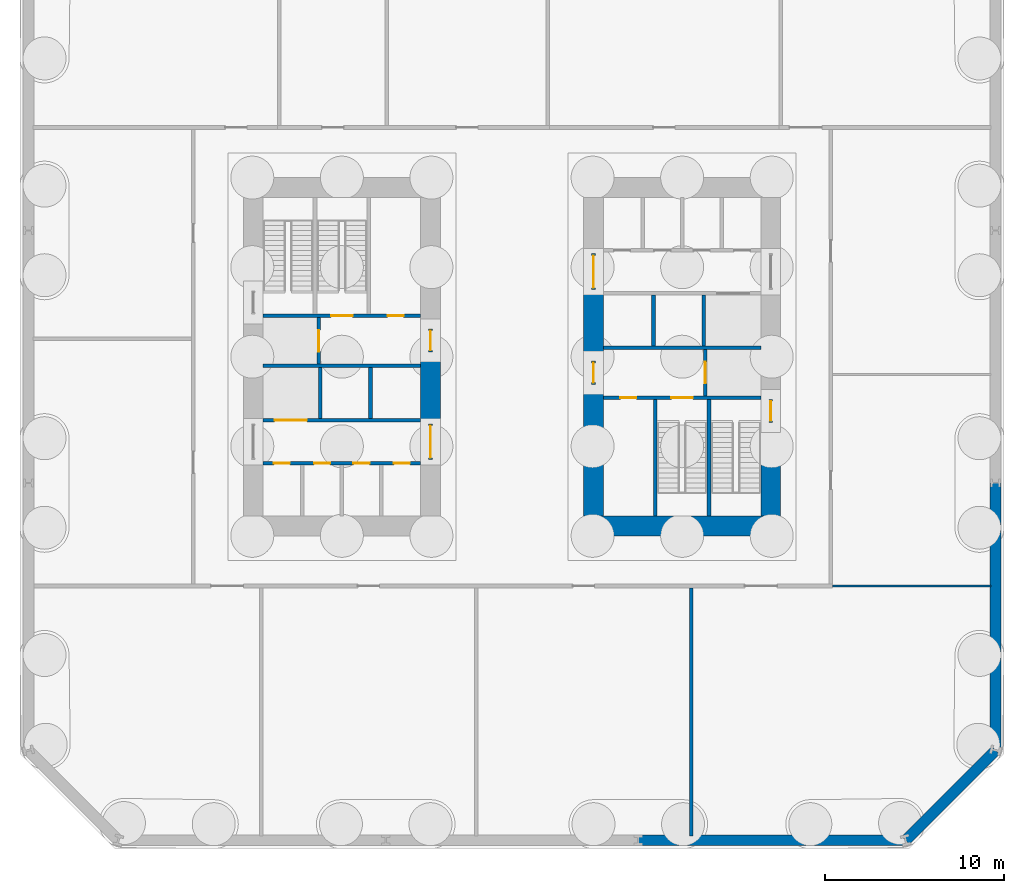
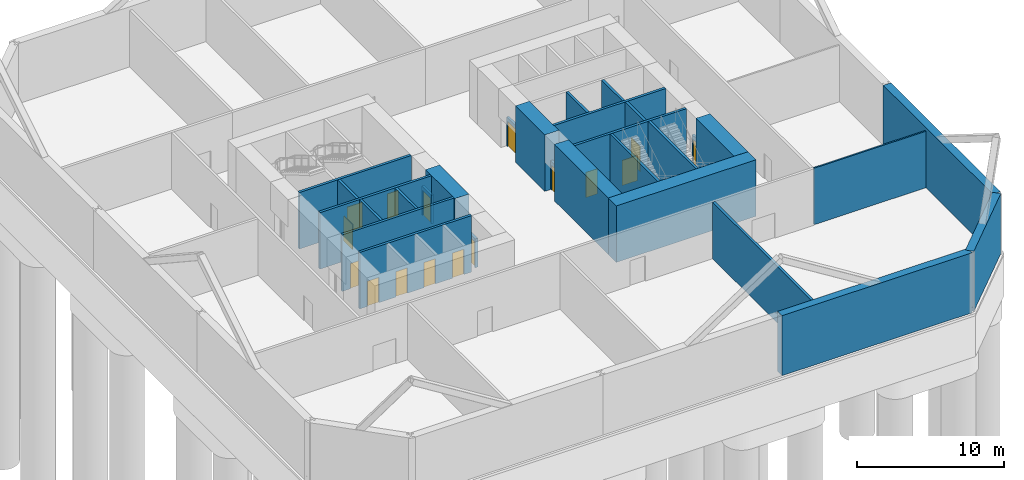
# One storey, part 4 of 7: 29 walls, 16 doors, 16 openings.
"""IFC4 building model written with IfcOpenShell, lengths in metres."""

import ifcopenshell
import ifcopenshell.guid

model = None  # the IFC model being written
_history = None  # IfcOwnerHistory: only IFC2X3 demands one
_inside = {}  # id of a spatial element -> (the spatial element, [elements in it])
_under = {}  # id of a project, library or spatial element -> (it, [spatial elements below it])
_declared = {}  # id of a project -> (the project, [libraries it declares])
_typed = {}  # id of a type object -> (the type object, [elements of that type])
_made_of = {}  # id of a material, layer set ... -> (it, [elements and type objects made of it])


def new_model(schema):
    """Start an empty IFC model of exactly this schema.

    Asked for "IFC4X3", IfcOpenShell would pick the latest addendum, in which some entities
    have other attributes; the version numbers below select the first issue.
    IFC2X3 requires an IfcOwnerHistory on every rooted entity: one is made here for all.
    """
    global model, _history
    if schema == "IFC4X3":
        model = ifcopenshell.file(schema_version=(4, 3, 0, 0))
    else:
        model = ifcopenshell.file(schema=schema)
    _inside.clear()
    _under.clear()
    _declared.clear()
    _typed.clear()
    _made_of.clear()
    _history = None
    if model.schema == "IFC2X3":
        org = make("IfcOrganization", Name="unknown")
        user = make(
            "IfcPersonAndOrganization",
            ThePerson=make("IfcPerson", FamilyName="unknown"),
            TheOrganization=org,
        )
        app = make(
            "IfcApplication",
            ApplicationDeveloper=org,
            Version="unknown",
            ApplicationFullName="unknown",
            ApplicationIdentifier="unknown",
        )
        _history = make(
            "IfcOwnerHistory",
            OwningUser=user,
            OwningApplication=app,
            ChangeAction="ADDED",
            CreationDate=0,
        )
    return model


def make(cls, **values):
    """One entity of the class cls with the attributes given. An attribute that is None is left unset."""
    return model.create_entity(
        cls, **{name: value for name, value in values.items() if value is not None}
    )


def rooted(cls, **values):
    """An entity with a GlobalId (a new one), such as an element, a storey or a relation."""
    return make(cls, GlobalId=ifcopenshell.guid.new(), OwnerHistory=_history, **values)


def si_unit(unit_type, name, prefix=None):
    """IfcSIUnit, for example si_unit("LENGTHUNIT", "METRE", prefix="MILLI")."""
    return make("IfcSIUnit", UnitType=unit_type, Prefix=prefix, Name=name)


def assignment(units):
    """IfcUnitAssignment: the units of a project."""
    return None if units is None else make("IfcUnitAssignment", Units=units)


def point(xyz):
    """IfcCartesianPoint."""
    return None if xyz is None else make("IfcCartesianPoint", Coordinates=xyz)


def direction(xyz):
    """IfcDirection."""
    return None if xyz is None else make("IfcDirection", DirectionRatios=xyz)


def frame(location, z_axis=None, x_axis=None):
    """IfcAxis2Placement3D, a coordinate frame: its origin and axes. An axis left out is left unset."""
    return make(
        "IfcAxis2Placement3D",
        Location=point(location),
        Axis=direction(z_axis),
        RefDirection=direction(x_axis),
    )


def frame_2d(location, x_axis=None):
    """IfcAxis2Placement2D, a coordinate frame in the plane: its origin and x axis."""
    return make(
        "IfcAxis2Placement2D", Location=point(location), RefDirection=direction(x_axis)
    )


def origin():
    """The frame at (0, 0, 0) with its axes left unset."""
    return frame((0.0, 0.0, 0.0))


def place(relative_to, where):
    """IfcLocalPlacement: puts the frame where relative to a parent placement (None: the world)."""
    return make(
        "IfcLocalPlacement", PlacementRelTo=relative_to, RelativePlacement=where
    )


def context(
    kind, dimensions, precision=None, world=None, true_north=None, identifier=None
):
    """IfcGeometricRepresentationContext, for example the 3D "Model" context."""
    return make(
        "IfcGeometricRepresentationContext",
        ContextIdentifier=identifier,
        ContextType=kind,
        CoordinateSpaceDimension=dimensions,
        Precision=precision,
        WorldCoordinateSystem=world,
        TrueNorth=true_north,
    )


def subcontext(parent, identifier, kind, view, scale=None):
    """IfcGeometricRepresentationSubContext, for example "Body" below "Model"."""
    return make(
        "IfcGeometricRepresentationSubContext",
        ContextIdentifier=identifier,
        ContextType=kind,
        ParentContext=parent,
        TargetScale=scale,
        TargetView=view,
    )


def project(units=None, contexts=None):
    """IfcProject with its units and contexts."""
    return rooted(
        "IfcProject",
        Name="project",
        RepresentationContexts=contexts,
        UnitsInContext=assignment(units),
    )


def spatial(cls, under=None, at=None, **own):
    """A site, building, storey or space (cls), placed at a placement, below another one or the project."""
    s = rooted(cls, ObjectPlacement=at, **own)
    if under is not None:
        _under.setdefault(under.id(), (under, []))[1].append(s)
    return s


def profile(cls, at=None, kind="AREA", **sizes):
    """A parametric profile (cls). Its sizes go by their IFC names, for example OverallWidth=200.0."""
    return make(cls, ProfileType=kind, Position=at, **sizes)


def rectangle(**sizes):
    """IfcRectangleProfileDef."""
    return profile("IfcRectangleProfileDef", **sizes)


def extrude(swept, where, along, depth):
    """IfcExtrudedAreaSolid: the profile swept, set in the frame where, extruded along a direction by depth."""
    return make(
        "IfcExtrudedAreaSolid",
        SweptArea=swept,
        Position=where,
        ExtrudedDirection=direction(along),
        Depth=depth,
    )


def shape(context_of_items, identifier, shape_type, items):
    """IfcShapeRepresentation: the items that make up one representation, for example the "Body"."""
    return make(
        "IfcShapeRepresentation",
        ContextOfItems=context_of_items,
        RepresentationIdentifier=identifier,
        RepresentationType=shape_type,
        Items=items,
    )


def material(Name=None, Category=None):
    """IfcMaterial."""
    return make("IfcMaterial", Name=Name, Category=Category)


def layer(
    of_material, thickness, ventilated=None, Name=None, Category=None, Priority=None
):
    """IfcMaterialLayer: one layer of a wall or slab, of a material (None: an air gap)."""
    return make(
        "IfcMaterialLayer",
        Material=of_material,
        LayerThickness=thickness,
        IsVentilated=ventilated,
        Name=Name,
        Category=Category,
        Priority=Priority,
    )


def layer_set(layers, Name=None):
    """IfcMaterialLayerSet."""
    return make("IfcMaterialLayerSet", MaterialLayers=layers, LayerSetName=Name)


def made_of(thing, what):
    """Note that an element or type object is made of a material, layer set ...; save() writes the relation."""
    if what is not None:
        _made_of.setdefault(what.id(), (what, []))[1].append(thing)
    return thing


def type_object(cls, material=None, **own):
    """A type object (cls), such as IfcWallType, which elements share."""
    return made_of(rooted(cls, **own), material)


def element(
    cls,
    number,
    at=None,
    inside=None,
    cuts=None,
    type_object=None,
    material=None,
    context=None,
    identifier="Body",
    shape_type=None,
    held_by="IfcProductDefinitionShape",
    body=None,
    shapes=None,
    **own,
):
    """One element of the class cls, such as IfcWall. Its Tag is "e" and its number.

    at: its placement. inside: the storey or other place that contains it. cuts: it is an
    opening in that element (IfcRelVoidsElement). A single representation is given by context,
    identifier, shape_type and body (its items); several are given by shapes. held_by: the class
    of the entity that holds the representations. save() writes the other relations.
    """
    e = rooted(cls, Tag="e%d" % number, ObjectPlacement=at, **own)
    if body is not None:
        shapes = [shape(context, identifier, shape_type, body)]
    if shapes is not None:
        e.Representation = make(held_by, Representations=shapes)
    if inside is not None:
        _inside.setdefault(inside.id(), (inside, []))[1].append(e)
    if cuts is not None:
        rooted(
            "IfcRelVoidsElement", RelatingBuildingElement=cuts, RelatedOpeningElement=e
        )
    if type_object is not None:
        _typed.setdefault(type_object.id(), (type_object, []))[1].append(e)
    return made_of(e, material)


def fill(opening, filler):
    """IfcRelFillsElement: the door or window that sits in an opening."""
    return rooted(
        "IfcRelFillsElement",
        RelatingOpeningElement=opening,
        RelatedBuildingElement=filler,
    )


def aggregate(whole, parts):
    """IfcRelAggregates: a whole, such as a stair, and the parts it consists of."""
    return rooted("IfcRelAggregates", RelatingObject=whole, RelatedObjects=parts)


def save(model, path):
    """Write the relations noted so far, then the file.

    IfcRelAggregates (storeys below a building ...), IfcRelContainedInSpatialStructure (elements
    in a storey), IfcRelDefinesByType, IfcRelAssociatesMaterial and IfcRelDeclares: one each for
    every whole, place, type object, material and project.
    """
    for whole, parts in _under.values():
        aggregate(whole, parts)
    for where, things in _inside.values():
        rooted(
            "IfcRelContainedInSpatialStructure",
            RelatedElements=things,
            RelatingStructure=where,
        )
    for kind, things in _typed.values():
        rooted("IfcRelDefinesByType", RelatedObjects=things, RelatingType=kind)
    for what, things in _made_of.values():
        rooted("IfcRelAssociatesMaterial", RelatedObjects=things, RelatingMaterial=what)
    for by, libraries in _declared.values():
        rooted("IfcRelDeclares", RelatingContext=by, RelatedDefinitions=libraries)
    model.write(path)


model = new_model("IFC4")

# Units and contexts
model_context = context("Model", 3, precision=1e-05, world=origin(), true_north=direction((0.0, 1.0)))
body_context = subcontext(model_context, "Body", "Model", "MODEL_VIEW")
ifc_project = project(units=[si_unit("LENGTHUNIT", "METRE"), si_unit("AREAUNIT", "SQUARE_METRE"), si_unit("VOLUMEUNIT", "CUBIC_METRE"), si_unit("PLANEANGLEUNIT", "RADIAN"), si_unit("MASSUNIT", "GRAM", prefix="KILO")], contexts=[model_context])

# Site, building, storey
site_placement = place(None, origin())
site = spatial("IfcSite", under=ifc_project, at=site_placement, CompositionType="ELEMENT")
building_placement = place(site_placement, origin())
building = spatial("IfcBuilding", under=site, at=building_placement, Name="Millrace Tower", CompositionType="ELEMENT")
storey_placement = place(building_placement, frame((0.0, 0.0, -10.0)))
storey = spatial("IfcBuildingStorey", under=building, at=storey_placement, Name="B2", CompositionType="ELEMENT", Elevation=-10.0)

# Walls
ifc_material_1 = material(Name="Concrete C40", Category="concrete")
ifc_layer_1 = layer(ifc_material_1, 0.60009765625)
ifc_layer_set_1 = layer_set([ifc_layer_1], Name="Concrete C40")
wall_type_1 = type_object("IfcWallType", Name="Basement retaining wall 600 mm", PredefinedType="SOLIDWALL", material=ifc_layer_set_1)
wall_1_placement = place(storey_placement, frame((7.050048828125, -27.0, 0.0), z_axis=(0.0, 0.0, 1.0), x_axis=(1.0, 0.0, 0.0)))
element("IfcWall", 1, at=wall_1_placement, inside=storey, type_object=wall_type_1, Name="BW-A-B2-04", PredefinedType="SOLIDWALL", context=body_context, shape_type="SweptSolid", body=[
    extrude(rectangle(XDim=14.928466796875, YDim=0.60009765625, at=frame_2d((7.46435546875, 0.0))), origin(), (0.0, 0.0, 1.0), 5.0),
])
wall_2_placement = place(storey_placement, frame((21.978515625, -27.0, 0.0), z_axis=(0.0, 0.0, 1.0), x_axis=(0.707106781187, 0.707106781187, 0.0)))
element("IfcWall", 2, at=wall_2_placement, inside=storey, type_object=wall_type_1, Name="BW-A-B2-05", PredefinedType="SOLIDWALL", context=body_context, shape_type="SweptSolid", body=[
    extrude(rectangle(XDim=7.1015625, YDim=0.60009765625, at=frame_2d((3.55078125, 0.0))), origin(), (0.0, 0.0, 1.0), 5.0),
])
wall_3_placement = place(storey_placement, frame((27.0, -21.978515625, 0.0), z_axis=(0.0, 0.0, 1.0), x_axis=(0.0, 1.0, 0.0)))
element("IfcWall", 3, at=wall_3_placement, inside=storey, type_object=wall_type_1, Name="BW-A-B2-06", PredefinedType="SOLIDWALL", context=body_context, shape_type="SweptSolid", body=[
    extrude(rectangle(XDim=14.928466796875, YDim=0.60009765625, at=frame_2d((7.46435546875, 0.0))), origin(), (0.0, 0.0, 1.0), 5.0),
])
ifc_material_2 = material(Name="Concrete C80", Category="concrete")
ifc_layer_2 = layer(ifc_material_2, 1.10009765625)
ifc_layer_set_2 = layer_set([ifc_layer_2], Name="Concrete C80")
wall_type_2 = type_object("IfcWallType", Name="Core wall 1100 Concrete C80", PredefinedType="SHEAR", material=ifc_layer_set_2)
wall_4_placement = place(storey_placement, frame((-4.550048828125, -3.75, 0.0), z_axis=(0.0, 0.0, 1.0), x_axis=(0.0, 1.0, 0.0)))
element("IfcWall", 4, at=wall_4_placement, inside=storey, type_object=wall_type_2, Name="Core wall W B2", PredefinedType="SHEAR", context=body_context, shape_type="SweptSolid", body=[
    extrude(rectangle(XDim=4.0, YDim=1.10009765625, at=frame_2d((2.0, 0.0))), origin(), (0.0, 0.0, 1.0), 4.699951171875),
])
wall_5_placement = place(storey_placement, frame((15.0, -9.449951171875, 0.0), z_axis=(0.0, 0.0, 1.0), x_axis=(-1.0, 0.0, 0.0)))
element("IfcWall", 5, at=wall_5_placement, inside=storey, type_object=wall_type_2, Name="Core wall E B2", PredefinedType="SHEAR", context=body_context, shape_type="SweptSolid", body=[
    extrude(rectangle(XDim=11.0, YDim=1.10009765625, at=frame_2d((5.5, 0.0))), origin(), (0.0, 0.0, 1.0), 4.699951171875),
])
wall_6_placement = place(storey_placement, frame((14.449951171875, -3.679931640625, 0.0), z_axis=(0.0, 0.0, 1.0), x_axis=(0.0, -1.0, 0.0)))
element("IfcWall", 6, at=wall_6_placement, inside=storey, type_object=wall_type_2, Name="Core wall E B2", PredefinedType="SHEAR", context=body_context, shape_type="SweptSolid", body=[
    extrude(rectangle(XDim=5.219970703125, YDim=1.10009765625, at=frame_2d((2.60986328125, 0.0))), origin(), (0.0, 0.0, 1.0), 4.699951171875),
])
wall_7_placement = place(storey_placement, frame((4.550048828125, 3.75, 0.0), z_axis=(0.0, 0.0, 1.0), x_axis=(0.0, -1.0, 0.0)))
element("IfcWall", 7, at=wall_7_placement, inside=storey, type_object=wall_type_2, Name="Core wall E B2", PredefinedType="SHEAR", context=body_context, shape_type="SweptSolid", body=[
    extrude(rectangle(XDim=4.0, YDim=1.10009765625, at=frame_2d((2.0, 0.0))), origin(), (0.0, 0.0, 1.0), 4.699951171875),
])
wall_8_placement = place(storey_placement, frame((4.550048828125, -1.550048828125, 0.0), z_axis=(0.0, 0.0, 1.0), x_axis=(0.0, -1.0, 0.0)))
element("IfcWall", 8, at=wall_8_placement, inside=storey, type_object=wall_type_2, Name="Core wall E B2", PredefinedType="SHEAR", context=body_context, shape_type="SweptSolid", body=[
    extrude(rectangle(XDim=7.349853515625, YDim=1.10009765625, at=frame_2d((3.6748046875, 0.0))), origin(), (0.0, 0.0, 1.0), 4.699951171875),
])
ifc_material_3 = material(Name="Masonry partition, fire-rated", Category="masonry")
ifc_layer_3 = layer(ifc_material_3, 0.199951171875)
ifc_layer_set_3 = layer_set([ifc_layer_3], Name="Masonry partition, fire-rated")
wall_type_3 = type_object("IfcWallType", Name="Corridor wall 200", PredefinedType="PARTITIONING", material=ifc_layer_set_3)
wall_9_placement = place(storey_placement, frame((10.0, -26.75, 0.0), z_axis=(0.0, 0.0, 1.0), x_axis=(0.0, 1.0, 0.0)))
element("IfcWall", 9, at=wall_9_placement, inside=storey, type_object=wall_type_3, Name="Corridor wall B2", PredefinedType="PARTITIONING", context=body_context, shape_type="SweptSolid", body=[
    extrude(rectangle(XDim=13.85009765625, YDim=0.199951171875, at=frame_2d((6.925048828125, 0.0))), origin(), (0.0, 0.0, 1.0), 4.699951171875),
])

# Wall, openings, doors
ifc_material_4 = material(Name="Masonry partition, fire-rated", Category="masonry")
ifc_layer_4 = layer(ifc_material_4, 0.199951171875)
ifc_layer_set_4 = layer_set([ifc_layer_4], Name="Masonry partition, fire-rated")
wall_type_4 = type_object("IfcWallType", Name="Lift shaft wall 200", PredefinedType="PARTITIONING", material=ifc_layer_set_4)
wall_10_placement = place(storey_placement, frame((-13.89990234375, -5.949951171875, 0.0), z_axis=(0.0, 0.0, 1.0), x_axis=(1.0, 0.0, 0.0)))
wall_10 = element("IfcWall", 10, at=wall_10_placement, inside=storey, type_object=wall_type_4, Name="Lift shaft wall W B2", PredefinedType="PARTITIONING", context=body_context, shape_type="SweptSolid", body=[
    extrude(rectangle(XDim=8.7998046875, YDim=0.199951171875, at=frame_2d((4.39990234375, 0.0))), origin(), (0.0, 0.0, 1.0), 4.699951171875),
])
opening_1_placement = place(wall_10_placement, frame((0.60009765625, 0.0, 0.0)))
opening_1 = element("IfcOpeningElement", 11, at=opening_1_placement, cuts=wall_10, Name="Opening B2-C005", PredefinedType="OPENING", context=body_context, shape_type="SweptSolid", body=[
    extrude(rectangle(XDim=0.89990234375, YDim=2.10009765625, at=frame_2d((0.449951171875, 1.050048828125))), frame((0.0, 0.10986328125, 0.0), z_axis=(0.0, -1.0, 0.0), x_axis=(1.0, 0.0, 0.0)), (0.0, 0.0, 1.0), 0.219970703125),
])
opening_2_placement = place(wall_10_placement, frame((2.85009765625, 0.0, 0.0)))
opening_2 = element("IfcOpeningElement", 12, at=opening_2_placement, cuts=wall_10, Name="Opening B2-C006", PredefinedType="OPENING", context=body_context, shape_type="SweptSolid", body=[
    extrude(rectangle(XDim=0.89990234375, YDim=2.10009765625, at=frame_2d((0.449951171875, 1.050048828125))), frame((0.0, 0.10986328125, 0.0), z_axis=(0.0, -1.0, 0.0), x_axis=(1.0, 0.0, 0.0)), (0.0, 0.0, 1.0), 0.219970703125),
])
opening_3_placement = place(wall_10_placement, frame((5.050048828125, 0.0, 0.0)))
opening_3 = element("IfcOpeningElement", 13, at=opening_3_placement, cuts=wall_10, Name="Opening B2-C007", PredefinedType="OPENING", context=body_context, shape_type="SweptSolid", body=[
    extrude(rectangle(XDim=0.89990234375, YDim=2.10009765625, at=frame_2d((0.449951171875, 1.050048828125))), frame((0.0, 0.10986328125, 0.0), z_axis=(0.0, -1.0, 0.0), x_axis=(1.0, 0.0, 0.0)), (0.0, 0.0, 1.0), 0.219970703125),
])
opening_4_placement = place(wall_10_placement, frame((7.300048828125, 0.0, 0.0)))
opening_4 = element("IfcOpeningElement", 14, at=opening_4_placement, cuts=wall_10, Name="Opening B2-C008", PredefinedType="OPENING", context=body_context, shape_type="SweptSolid", body=[
    extrude(rectangle(XDim=0.89990234375, YDim=2.10009765625, at=frame_2d((0.449951171875, 1.050048828125))), frame((0.0, 0.10986328125, 0.0), z_axis=(0.0, -1.0, 0.0), x_axis=(1.0, 0.0, 0.0)), (0.0, 0.0, 1.0), 0.219970703125),
])
ifc_material_5 = material(Name="Steel door, fire-rated", Category="steel")
door_type_1 = type_object("IfcDoorType", Name="Service room door 900 x 2100", OperationType="SINGLE_SWING_LEFT", PredefinedType="DOOR", material=ifc_material_5)
door_1_placement = place(opening_1_placement, frame((0.89990234375, 0.0, 0.0), z_axis=(0.0, 0.0, 1.0), x_axis=(-1.0, 0.0, 0.0)))
door_1 = element("IfcDoor", 15, at=door_1_placement, inside=storey, type_object=door_type_1, Name="Service room door B2-C005", OperationType="SINGLE_SWING_RIGHT", OverallHeight=2.10009765625, OverallWidth=0.89990234375, PredefinedType="DOOR", context=body_context, shape_type="SweptSolid", body=[
    extrude(rectangle(XDim=0.89990234375, YDim=2.10009765625, at=frame_2d((0.449951171875, 1.050048828125))), frame((0.0, 0.02490234375, 0.0), z_axis=(0.0, -1.0, 0.0), x_axis=(1.0, 0.0, 0.0)), (0.0, 0.0, 1.0), 0.050048828125),
])
fill(opening_1, door_1)
door_2_placement = place(opening_2_placement, frame((0.89990234375, 0.0, 0.0), z_axis=(0.0, 0.0, 1.0), x_axis=(-1.0, 0.0, 0.0)))
door_2 = element("IfcDoor", 16, at=door_2_placement, inside=storey, type_object=door_type_1, Name="Service room door B2-C006", OperationType="SINGLE_SWING_RIGHT", OverallHeight=2.10009765625, OverallWidth=0.89990234375, PredefinedType="DOOR", context=body_context, shape_type="SweptSolid", body=[
    extrude(rectangle(XDim=0.89990234375, YDim=2.10009765625, at=frame_2d((0.449951171875, 1.050048828125))), frame((0.0, 0.02490234375, 0.0), z_axis=(0.0, -1.0, 0.0), x_axis=(1.0, 0.0, 0.0)), (0.0, 0.0, 1.0), 0.050048828125),
])
fill(opening_2, door_2)
door_3_placement = place(opening_3_placement, frame((0.89990234375, 0.0, 0.0), z_axis=(0.0, 0.0, 1.0), x_axis=(-1.0, 0.0, 0.0)))
door_3 = element("IfcDoor", 17, at=door_3_placement, inside=storey, type_object=door_type_1, Name="Service room door B2-C007", OperationType="SINGLE_SWING_LEFT", OverallHeight=2.10009765625, OverallWidth=0.89990234375, PredefinedType="DOOR", context=body_context, shape_type="SweptSolid", body=[
    extrude(rectangle(XDim=0.89990234375, YDim=2.10009765625, at=frame_2d((0.449951171875, 1.050048828125))), frame((0.0, 0.02490234375, 0.0), z_axis=(0.0, -1.0, 0.0), x_axis=(1.0, 0.0, 0.0)), (0.0, 0.0, 1.0), 0.050048828125),
])
fill(opening_3, door_3)
door_4_placement = place(opening_4_placement, frame((0.89990234375, 0.0, 0.0), z_axis=(0.0, 0.0, 1.0), x_axis=(-1.0, 0.0, 0.0)))
door_4 = element("IfcDoor", 18, at=door_4_placement, inside=storey, type_object=door_type_1, Name="Service room door B2-C008", OperationType="SINGLE_SWING_LEFT", OverallHeight=2.10009765625, OverallWidth=0.89990234375, PredefinedType="DOOR", context=body_context, shape_type="SweptSolid", body=[
    extrude(rectangle(XDim=0.89990234375, YDim=2.10009765625, at=frame_2d((0.449951171875, 1.050048828125))), frame((0.0, 0.02490234375, 0.0), z_axis=(0.0, -1.0, 0.0), x_axis=(1.0, 0.0, 0.0)), (0.0, 0.0, 1.0), 0.050048828125),
])
fill(opening_4, door_4)

# Wall, opening, door
wall_11_placement = place(storey_placement, frame((-13.89990234375, -3.550048828125, 0.0), z_axis=(0.0, 0.0, 1.0), x_axis=(1.0, 0.0, 0.0)))
wall_11 = element("IfcWall", 19, at=wall_11_placement, inside=storey, type_object=wall_type_4, Name="Lift shaft wall W B2", PredefinedType="PARTITIONING", context=body_context, shape_type="SweptSolid", body=[
    extrude(rectangle(XDim=8.7998046875, YDim=0.199951171875, at=frame_2d((4.39990234375, 0.0))), origin(), (0.0, 0.0, 1.0), 4.699951171875),
])
opening_5_placement = place(wall_11_placement, frame((0.64990234375, 0.0, 0.0)))
opening_5 = element("IfcOpeningElement", 20, at=opening_5_placement, cuts=wall_11, Name="Opening B2-LD05", PredefinedType="OPENING", context=body_context, shape_type="SweptSolid", body=[
    extrude(rectangle(XDim=1.800048828125, YDim=2.10009765625, at=frame_2d((0.89990234375, 1.050048828125))), frame((0.0, 0.10986328125, 0.0), z_axis=(0.0, -1.0, 0.0), x_axis=(1.0, 0.0, 0.0)), (0.0, 0.0, 1.0), 0.219970703125),
])
ifc_material_6 = material(Name="Stainless steel, fire-rated", Category="steel")
door_type_2 = type_object("IfcDoorType", Name="Lift landing door 1800 x 2100", OperationType="DOUBLE_DOOR_SLIDING", PredefinedType="DOOR", material=ifc_material_6)
door_5_placement = place(opening_5_placement, origin())
door_5 = element("IfcDoor", 21, at=door_5_placement, inside=storey, type_object=door_type_2, Name="Lift landing door LF5 B2", OperationType="DOUBLE_DOOR_SLIDING", OverallHeight=2.10009765625, OverallWidth=1.800048828125, PredefinedType="DOOR", context=body_context, shape_type="SweptSolid", body=[
    extrude(rectangle(XDim=1.800048828125, YDim=2.10009765625, at=frame_2d((0.89990234375, 1.050048828125))), frame((0.0, 0.02490234375, 0.0), z_axis=(0.0, -1.0, 0.0), x_axis=(1.0, 0.0, 0.0)), (0.0, 0.0, 1.0), 0.050048828125),
])
fill(opening_5, door_5)

# Wall
wall_12_placement = place(storey_placement, frame((-13.89990234375, -0.5, 0.0), z_axis=(0.0, 0.0, 1.0), x_axis=(1.0, 0.0, 0.0)))
element("IfcWall", 22, at=wall_12_placement, inside=storey, type_object=wall_type_4, Name="Lift shaft wall W B2", PredefinedType="PARTITIONING", context=body_context, shape_type="SweptSolid", body=[
    extrude(rectangle(XDim=8.7998046875, YDim=0.199951171875, at=frame_2d((4.39990234375, 0.0))), origin(), (0.0, 0.0, 1.0), 4.699951171875),
])

# Wall, opening, door
wall_13_placement = place(storey_placement, frame((-10.800048828125, -0.39990234375, 0.0), z_axis=(0.0, 0.0, 1.0), x_axis=(0.0, 1.0, 0.0)))
wall_13 = element("IfcWall", 23, at=wall_13_placement, inside=storey, type_object=wall_type_4, Name="Lift shaft wall W B2", PredefinedType="PARTITIONING", context=body_context, shape_type="SweptSolid", body=[
    extrude(rectangle(XDim=2.579833984375, YDim=0.199951171875, at=frame_2d((1.2900390625, 0.0))), origin(), (0.0, 0.0, 1.0), 4.699951171875),
])
opening_6_placement = place(wall_13_placement, frame((0.68994140625, 0.0, 0.0)))
opening_6 = element("IfcOpeningElement", 24, at=opening_6_placement, cuts=wall_13, Name="Opening B2-LD08", PredefinedType="OPENING", context=body_context, shape_type="SweptSolid", body=[
    extrude(rectangle(XDim=1.199951171875, YDim=2.10009765625, at=frame_2d((0.60009765625, 1.050048828125))), frame((0.0, 0.10986328125, 0.0), z_axis=(0.0, -1.0, 0.0), x_axis=(1.0, 0.0, 0.0)), (0.0, 0.0, 1.0), 0.219970703125),
])
ifc_material_7 = material(Name="Stainless steel, fire-rated", Category="steel")
door_type_3 = type_object("IfcDoorType", Name="Lift landing door 1200 x 2100", OperationType="DOUBLE_DOOR_SLIDING", PredefinedType="DOOR", material=ifc_material_7)
door_6_placement = place(opening_6_placement, origin())
door_6 = element("IfcDoor", 25, at=door_6_placement, inside=storey, type_object=door_type_3, Name="Lift landing door LF8 B2", OperationType="DOUBLE_DOOR_SLIDING", OverallHeight=2.10009765625, OverallWidth=1.199951171875, PredefinedType="DOOR", context=body_context, shape_type="SweptSolid", body=[
    extrude(rectangle(XDim=1.199951171875, YDim=2.10009765625, at=frame_2d((0.60009765625, 1.050048828125))), frame((0.0, 0.02490234375, 0.0), z_axis=(0.0, -1.0, 0.0), x_axis=(1.0, 0.0, 0.0)), (0.0, 0.0, 1.0), 0.050048828125),
])
fill(opening_6, door_6)

# Walls
for number, where, z_axis, x_axis, name in (
    (26, (-10.699951171875, -3.449951171875, 0.0), (0.0, 0.0, 1.0), (0.0, 1.0, 0.0), "Lift shaft wall W B2"),
    (27, (-7.89990234375, -3.449951171875, 0.0), (0.0, 0.0, 1.0), (0.0, 1.0, 0.0), "Lift shaft wall W B2"),
):
    element("IfcWall", number, at=place(storey_placement, frame(where, z_axis=z_axis, x_axis=x_axis)), inside=storey, type_object=wall_type_4, Name=name, PredefinedType="PARTITIONING", context=body_context, shape_type="SweptSolid", body=[
        extrude(rectangle(XDim=2.849853515625, YDim=0.199951171875, at=frame_2d((1.4248046875, 0.0))), origin(), (0.0, 0.0, 1.0), 4.699951171875),
    ])
wall_14_placement = place(storey_placement, frame((13.89990234375, 0.5, 0.0), z_axis=(0.0, 0.0, 1.0), x_axis=(-1.0, 0.0, 0.0)))
element("IfcWall", 28, at=wall_14_placement, inside=storey, type_object=wall_type_4, Name="Lift shaft wall E B2", PredefinedType="PARTITIONING", context=body_context, shape_type="SweptSolid", body=[
    extrude(rectangle(XDim=8.7998046875, YDim=0.199951171875, at=frame_2d((4.39990234375, 0.0))), origin(), (0.0, 0.0, 1.0), 4.699951171875),
])

# Wall, opening, door
wall_15_placement = place(storey_placement, frame((10.800048828125, 0.39990234375, 0.0), z_axis=(0.0, 0.0, 1.0), x_axis=(0.0, -1.0, 0.0)))
wall_15 = element("IfcWall", 29, at=wall_15_placement, inside=storey, type_object=wall_type_4, Name="Lift shaft wall E B2", PredefinedType="PARTITIONING", context=body_context, shape_type="SweptSolid", body=[
    extrude(rectangle(XDim=2.579833984375, YDim=0.199951171875, at=frame_2d((1.2900390625, 0.0))), origin(), (0.0, 0.0, 1.0), 4.699951171875),
])
opening_7_placement = place(wall_15_placement, frame((0.68994140625, 0.0, 0.0)))
opening_7 = element("IfcOpeningElement", 30, at=opening_7_placement, cuts=wall_15, Name="Opening B2-LD16", PredefinedType="OPENING", context=body_context, shape_type="SweptSolid", body=[
    extrude(rectangle(XDim=1.199951171875, YDim=2.10009765625, at=frame_2d((0.60009765625, 1.050048828125))), frame((0.0, 0.10986328125, 0.0), z_axis=(0.0, -1.0, 0.0), x_axis=(1.0, 0.0, 0.0)), (0.0, 0.0, 1.0), 0.219970703125),
])
door_7_placement = place(opening_7_placement, origin())
door_7 = element("IfcDoor", 31, at=door_7_placement, inside=storey, type_object=door_type_3, Name="Lift landing door LF16 B2", OperationType="DOUBLE_DOOR_SLIDING", OverallHeight=2.10009765625, OverallWidth=1.199951171875, PredefinedType="DOOR", context=body_context, shape_type="SweptSolid", body=[
    extrude(rectangle(XDim=1.199951171875, YDim=2.10009765625, at=frame_2d((0.60009765625, 1.050048828125))), frame((0.0, 0.02490234375, 0.0), z_axis=(0.0, -1.0, 0.0), x_axis=(1.0, 0.0, 0.0)), (0.0, 0.0, 1.0), 0.050048828125),
])
fill(opening_7, door_7)

# Walls
for number, where, z_axis, x_axis, name in (
    (32, (10.699951171875, 3.449951171875, 0.0), (0.0, 0.0, 1.0), (0.0, -1.0, 0.0), "Lift shaft wall E B2"),
    (33, (7.89990234375, 3.449951171875, 0.0), (0.0, 0.0, 1.0), (0.0, -1.0, 0.0), "Lift shaft wall E B2"),
):
    element("IfcWall", number, at=place(storey_placement, frame(where, z_axis=z_axis, x_axis=x_axis)), inside=storey, type_object=wall_type_4, Name=name, PredefinedType="PARTITIONING", context=body_context, shape_type="SweptSolid", body=[
        extrude(rectangle(XDim=2.849853515625, YDim=0.199951171875, at=frame_2d((1.4248046875, 0.0))), origin(), (0.0, 0.0, 1.0), 4.699951171875),
    ])

# Wall, opening, door
ifc_material_8 = material(Name="Masonry partition, fire-rated", Category="masonry")
ifc_layer_5 = layer(ifc_material_8, 0.199951171875)
ifc_layer_set_5 = layer_set([ifc_layer_5], Name="Masonry partition, fire-rated")
wall_type_5 = type_object("IfcWallType", Name="Lobby wall 200", PredefinedType="PARTITIONING", material=ifc_layer_set_5)
wall_16_placement = place(storey_placement, frame((-4.550048828125, -5.75, 0.0), z_axis=(0.0, 0.0, 1.0), x_axis=(0.0, 1.0, 0.0)))
wall_16 = element("IfcWall", 34, at=wall_16_placement, inside=storey, type_object=wall_type_5, Name="Lobby wall W B2", PredefinedType="PARTITIONING", context=body_context, shape_type="SweptSolid", body=[
    extrude(rectangle(XDim=2.0, YDim=0.199951171875, at=frame_2d((1.0, 0.0))), origin(), (0.0, 0.0, 1.0), 2.39990234375),
])
opening_8_placement = place(wall_16_placement, frame((0.10009765625, 0.0, 0.0)))
opening_8 = element("IfcOpeningElement", 35, at=opening_8_placement, cuts=wall_16, Name="Opening B2-C003", PredefinedType="OPENING", context=body_context, shape_type="SweptSolid", body=[
    extrude(rectangle(XDim=1.800048828125, YDim=2.10009765625, at=frame_2d((0.89990234375, 1.050048828125))), frame((0.0, 0.10986328125, 0.0), z_axis=(0.0, -1.0, 0.0), x_axis=(1.0, 0.0, 0.0)), (0.0, 0.0, 1.0), 0.219970703125),
])
ifc_material_9 = material(Name="Steel door, fire-rated", Category="steel")
door_type_4 = type_object("IfcDoorType", Name="Lobby door 1800 x 2100", OperationType="DOUBLE_DOOR_SINGLE_SWING", PredefinedType="DOOR", material=ifc_material_9)
door_8_placement = place(opening_8_placement, origin())
door_8 = element("IfcDoor", 36, at=door_8_placement, inside=storey, type_object=door_type_4, Name="Lobby door B2-C003", OperationType="DOUBLE_DOOR_SINGLE_SWING", OverallHeight=2.10009765625, OverallWidth=1.800048828125, PredefinedType="DOOR", context=body_context, shape_type="SweptSolid", body=[
    extrude(rectangle(XDim=1.800048828125, YDim=2.10009765625, at=frame_2d((0.89990234375, 1.050048828125))), frame((0.0, 0.02490234375, 0.0), z_axis=(0.0, -1.0, 0.0), x_axis=(1.0, 0.0, 0.0)), (0.0, 0.0, 1.0), 0.050048828125),
])
fill(opening_8, door_8)

wall_17_placement = place(storey_placement, frame((-4.550048828125, 0.25, 0.0), z_axis=(0.0, 0.0, 1.0), x_axis=(0.0, 1.0, 0.0)))
wall_17 = element("IfcWall", 37, at=wall_17_placement, inside=storey, type_object=wall_type_5, Name="Lobby wall W B2", PredefinedType="PARTITIONING", context=body_context, shape_type="SweptSolid", body=[
    extrude(rectangle(XDim=1.300048828125, YDim=0.199951171875, at=frame_2d((0.64990234375, 0.0))), origin(), (0.0, 0.0, 1.0), 2.39990234375),
])
opening_9_placement = place(wall_17_placement, frame((0.10009765625, 0.0, 0.0)))
opening_9 = element("IfcOpeningElement", 38, at=opening_9_placement, cuts=wall_17, Name="Opening B2-C004", PredefinedType="OPENING", context=body_context, shape_type="SweptSolid", body=[
    extrude(rectangle(XDim=1.10009765625, YDim=2.10009765625, at=frame_2d((0.550048828125, 1.050048828125))), frame((0.0, 0.10986328125, 0.0), z_axis=(0.0, -1.0, 0.0), x_axis=(1.0, 0.0, 0.0)), (0.0, 0.0, 1.0), 0.219970703125),
])
ifc_material_10 = material(Name="Steel door, fire-rated", Category="steel")
door_type_5 = type_object("IfcDoorType", Name="Lobby door 1100 x 2100", OperationType="SINGLE_SWING_LEFT", PredefinedType="DOOR", material=ifc_material_10)
door_9_placement = place(opening_9_placement, origin())
door_9 = element("IfcDoor", 39, at=door_9_placement, inside=storey, type_object=door_type_5, Name="Lobby door B2-C004", OperationType="SINGLE_SWING_LEFT", OverallHeight=2.10009765625, OverallWidth=1.10009765625, PredefinedType="DOOR", context=body_context, shape_type="SweptSolid", body=[
    extrude(rectangle(XDim=1.10009765625, YDim=2.10009765625, at=frame_2d((0.550048828125, 1.050048828125))), frame((0.0, 0.02490234375, 0.0), z_axis=(0.0, -1.0, 0.0), x_axis=(1.0, 0.0, 0.0)), (0.0, 0.0, 1.0), 0.050048828125),
])
fill(opening_9, door_9)

wall_18_placement = place(storey_placement, frame((4.550048828125, 5.75, 0.0), z_axis=(0.0, 0.0, 1.0), x_axis=(0.0, -1.0, 0.0)))
wall_18 = element("IfcWall", 40, at=wall_18_placement, inside=storey, type_object=wall_type_5, Name="Lobby wall E B2", PredefinedType="PARTITIONING", context=body_context, shape_type="SweptSolid", body=[
    extrude(rectangle(XDim=2.0, YDim=0.199951171875, at=frame_2d((1.0, 0.0))), origin(), (0.0, 0.0, 1.0), 2.39990234375),
])
opening_10_placement = place(wall_18_placement, frame((0.10009765625, 0.0, 0.0)))
opening_10 = element("IfcOpeningElement", 41, at=opening_10_placement, cuts=wall_18, Name="Opening B2-C013", PredefinedType="OPENING", context=body_context, shape_type="SweptSolid", body=[
    extrude(rectangle(XDim=1.800048828125, YDim=2.10009765625, at=frame_2d((0.89990234375, 1.050048828125))), frame((0.0, 0.10986328125, 0.0), z_axis=(0.0, -1.0, 0.0), x_axis=(1.0, 0.0, 0.0)), (0.0, 0.0, 1.0), 0.219970703125),
])
door_10_placement = place(opening_10_placement, origin())
door_10 = element("IfcDoor", 42, at=door_10_placement, inside=storey, type_object=door_type_4, Name="Lobby door B2-C013", OperationType="DOUBLE_DOOR_SINGLE_SWING", OverallHeight=2.10009765625, OverallWidth=1.800048828125, PredefinedType="DOOR", context=body_context, shape_type="SweptSolid", body=[
    extrude(rectangle(XDim=1.800048828125, YDim=2.10009765625, at=frame_2d((0.89990234375, 1.050048828125))), frame((0.0, 0.02490234375, 0.0), z_axis=(0.0, -1.0, 0.0), x_axis=(1.0, 0.0, 0.0)), (0.0, 0.0, 1.0), 0.050048828125),
])
fill(opening_10, door_10)

wall_19_placement = place(storey_placement, frame((4.550048828125, -0.25, 0.0), z_axis=(0.0, 0.0, 1.0), x_axis=(0.0, -1.0, 0.0)))
wall_19 = element("IfcWall", 43, at=wall_19_placement, inside=storey, type_object=wall_type_5, Name="Lobby wall E B2", PredefinedType="PARTITIONING", context=body_context, shape_type="SweptSolid", body=[
    extrude(rectangle(XDim=1.300048828125, YDim=0.199951171875, at=frame_2d((0.64990234375, 0.0))), origin(), (0.0, 0.0, 1.0), 2.39990234375),
])
opening_11_placement = place(wall_19_placement, frame((0.10009765625, 0.0, 0.0)))
opening_11 = element("IfcOpeningElement", 44, at=opening_11_placement, cuts=wall_19, Name="Opening B2-C014", PredefinedType="OPENING", context=body_context, shape_type="SweptSolid", body=[
    extrude(rectangle(XDim=1.10009765625, YDim=2.10009765625, at=frame_2d((0.550048828125, 1.050048828125))), frame((0.0, 0.10986328125, 0.0), z_axis=(0.0, -1.0, 0.0), x_axis=(1.0, 0.0, 0.0)), (0.0, 0.0, 1.0), 0.219970703125),
])
door_11_placement = place(opening_11_placement, origin())
door_11 = element("IfcDoor", 45, at=door_11_placement, inside=storey, type_object=door_type_5, Name="Lobby door B2-C014", OperationType="SINGLE_SWING_RIGHT", OverallHeight=2.10009765625, OverallWidth=1.10009765625, PredefinedType="DOOR", context=body_context, shape_type="SweptSolid", body=[
    extrude(rectangle(XDim=1.10009765625, YDim=2.10009765625, at=frame_2d((0.550048828125, 1.050048828125))), frame((0.0, 0.02490234375, 0.0), z_axis=(0.0, -1.0, 0.0), x_axis=(1.0, 0.0, 0.0)), (0.0, 0.0, 1.0), 0.050048828125),
])
fill(opening_11, door_11)

# Wall
ifc_material_11 = material(Name="Gypsum board partition")
ifc_layer_6 = layer(ifc_material_11, 0.1201171875)
ifc_layer_set_6 = layer_set([ifc_layer_6], Name="Gypsum board partition")
wall_type_6 = type_object("IfcWallType", Name="Partition wall 120", PredefinedType="PARTITIONING", material=ifc_layer_set_6)
wall_20_placement = place(storey_placement, frame((17.89990234375, -12.800048828125, 0.0), z_axis=(0.0, 0.0, 1.0), x_axis=(1.0, 0.0, 0.0)))
element("IfcWall", 46, at=wall_20_placement, inside=storey, type_object=wall_type_6, Name="Partition wall B2", PredefinedType="PARTITIONING", context=body_context, shape_type="SweptSolid", body=[
    extrude(rectangle(XDim=8.85009765625, YDim=0.1201171875, at=frame_2d((4.425048828125, 0.0))), origin(), (0.0, 0.0, 1.0), 4.699951171875),
])

# Wall, openings, doors
ifc_material_12 = material(Name="Concrete C40", Category="concrete")
ifc_layer_7 = layer(ifc_material_12, 0.199951171875)
ifc_layer_set_7 = layer_set([ifc_layer_7], Name="Concrete C40")
wall_type_7 = type_object("IfcWallType", Name="Stair enclosure wall 200 Concrete C40", PredefinedType="SHEAR", material=ifc_layer_set_7)
wall_21_placement = place(storey_placement, frame((-13.89990234375, 2.280029296875, 0.0), z_axis=(0.0, 0.0, 1.0), x_axis=(1.0, 0.0, 0.0)))
wall_21 = element("IfcWall", 47, at=wall_21_placement, inside=storey, type_object=wall_type_7, Name="Stair enclosure wall W B2", PredefinedType="SHEAR", context=body_context, shape_type="SweptSolid", body=[
    extrude(rectangle(XDim=8.7998046875, YDim=0.199951171875, at=frame_2d((4.39990234375, 0.0))), origin(), (0.0, 0.0, 1.0), 4.699951171875),
])
opening_12_placement = place(wall_21_placement, frame((3.800048828125, 0.0, 0.0)))
opening_12 = element("IfcOpeningElement", 48, at=opening_12_placement, cuts=wall_21, Name="Opening B2-C009", PredefinedType="OPENING", context=body_context, shape_type="SweptSolid", body=[
    extrude(rectangle(XDim=1.199951171875, YDim=2.10009765625, at=frame_2d((0.60009765625, 1.050048828125))), frame((0.0, 0.10986328125, 0.0), z_axis=(0.0, -1.0, 0.0), x_axis=(1.0, 0.0, 0.0)), (0.0, 0.0, 1.0), 0.219970703125),
])
opening_13_placement = place(wall_21_placement, frame((6.949951171875, 0.0, 0.0)))
opening_13 = element("IfcOpeningElement", 49, at=opening_13_placement, cuts=wall_21, Name="Opening B2-C010", PredefinedType="OPENING", context=body_context, shape_type="SweptSolid", body=[
    extrude(rectangle(XDim=0.89990234375, YDim=2.10009765625, at=frame_2d((0.449951171875, 1.050048828125))), frame((0.0, 0.10986328125, 0.0), z_axis=(0.0, -1.0, 0.0), x_axis=(1.0, 0.0, 0.0)), (0.0, 0.0, 1.0), 0.219970703125),
])
door_12_placement = place(opening_13_placement, origin())
door_12 = element("IfcDoor", 50, at=door_12_placement, inside=storey, type_object=door_type_1, Name="Service room door B2-C010", OperationType="SINGLE_SWING_RIGHT", OverallHeight=2.10009765625, OverallWidth=0.89990234375, PredefinedType="DOOR", context=body_context, shape_type="SweptSolid", body=[
    extrude(rectangle(XDim=0.89990234375, YDim=2.10009765625, at=frame_2d((0.449951171875, 1.050048828125))), frame((0.0, 0.02490234375, 0.0), z_axis=(0.0, -1.0, 0.0), x_axis=(1.0, 0.0, 0.0)), (0.0, 0.0, 1.0), 0.050048828125),
])
fill(opening_13, door_12)
ifc_material_13 = material(Name="Steel door, fire-rated", Category="steel")
door_type_6 = type_object("IfcDoorType", Name="Stair door 1200 x 2100", OperationType="SINGLE_SWING_LEFT", PredefinedType="DOOR", material=ifc_material_13)
door_13_placement = place(opening_12_placement, frame((1.199951171875, 0.0, 0.0), z_axis=(0.0, 0.0, 1.0), x_axis=(-1.0, 0.0, 0.0)))
door_13 = element("IfcDoor", 51, at=door_13_placement, inside=storey, type_object=door_type_6, Name="Stair door B2-C009", OperationType="SINGLE_SWING_RIGHT", OverallHeight=2.10009765625, OverallWidth=1.199951171875, PredefinedType="DOOR", context=body_context, shape_type="SweptSolid", body=[
    extrude(rectangle(XDim=1.199951171875, YDim=2.10009765625, at=frame_2d((0.60009765625, 1.050048828125))), frame((0.0, 0.02490234375, 0.0), z_axis=(0.0, -1.0, 0.0), x_axis=(1.0, 0.0, 0.0)), (0.0, 0.0, 1.0), 0.050048828125),
])
fill(opening_12, door_13)

# Wall, opening, door
wall_22_placement = place(storey_placement, frame((14.449951171875, -2.3798828125, 0.0), z_axis=(0.0, 0.0, 1.0), x_axis=(0.0, -1.0, 0.0)))
wall_22 = element("IfcWall", 52, at=wall_22_placement, inside=storey, type_object=wall_type_7, Name="Stair enclosure wall E B2", PredefinedType="SHEAR", context=body_context, shape_type="SweptSolid", body=[
    extrude(rectangle(XDim=1.300048828125, YDim=0.199951171875, at=frame_2d((0.64990234375, 0.0))), origin(), (0.0, 0.0, 1.0), 2.39990234375),
])
opening_14_placement = place(wall_22_placement, frame((0.10009765625, 0.0, 0.0)))
opening_14 = element("IfcOpeningElement", 53, at=opening_14_placement, cuts=wall_22, Name="Opening B2-C012", PredefinedType="OPENING", context=body_context, shape_type="SweptSolid", body=[
    extrude(rectangle(XDim=1.10009765625, YDim=2.10009765625, at=frame_2d((0.550048828125, 1.050048828125))), frame((0.0, 0.10986328125, 0.0), z_axis=(0.0, -1.0, 0.0), x_axis=(1.0, 0.0, 0.0)), (0.0, 0.0, 1.0), 0.219970703125),
])
ifc_material_14 = material(Name="Steel door, fire-rated", Category="steel")
door_type_7 = type_object("IfcDoorType", Name="Stair door 1100 x 2100", OperationType="SINGLE_SWING_LEFT", PredefinedType="DOOR", material=ifc_material_14)
door_14_placement = place(opening_14_placement, origin())
door_14 = element("IfcDoor", 54, at=door_14_placement, inside=storey, type_object=door_type_7, Name="Stair door B2-C012", OperationType="SINGLE_SWING_RIGHT", OverallHeight=2.10009765625, OverallWidth=1.10009765625, PredefinedType="DOOR", context=body_context, shape_type="SweptSolid", body=[
    extrude(rectangle(XDim=1.10009765625, YDim=2.10009765625, at=frame_2d((0.550048828125, 1.050048828125))), frame((0.0, 0.02490234375, 0.0), z_axis=(0.0, -1.0, 0.0), x_axis=(1.0, 0.0, 0.0)), (0.0, 0.0, 1.0), 0.050048828125),
])
fill(opening_14, door_14)

# Wall, openings, doors
wall_23_placement = place(storey_placement, frame((13.89990234375, -2.280029296875, 0.0), z_axis=(0.0, 0.0, 1.0), x_axis=(-1.0, 0.0, 0.0)))
wall_23 = element("IfcWall", 55, at=wall_23_placement, inside=storey, type_object=wall_type_7, Name="Stair enclosure wall E B2", PredefinedType="SHEAR", context=body_context, shape_type="SweptSolid", body=[
    extrude(rectangle(XDim=8.7998046875, YDim=0.199951171875, at=frame_2d((4.39990234375, 0.0))), origin(), (0.0, 0.0, 1.0), 4.699951171875),
])
opening_15_placement = place(wall_23_placement, frame((3.800048828125, 0.0, 0.0)))
opening_15 = element("IfcOpeningElement", 56, at=opening_15_placement, cuts=wall_23, Name="Opening B2-C019", PredefinedType="OPENING", context=body_context, shape_type="SweptSolid", body=[
    extrude(rectangle(XDim=1.199951171875, YDim=2.10009765625, at=frame_2d((0.60009765625, 1.050048828125))), frame((0.0, 0.10986328125, 0.0), z_axis=(0.0, -1.0, 0.0), x_axis=(1.0, 0.0, 0.0)), (0.0, 0.0, 1.0), 0.219970703125),
])
opening_16_placement = place(wall_23_placement, frame((6.949951171875, 0.0, 0.0)))
opening_16 = element("IfcOpeningElement", 57, at=opening_16_placement, cuts=wall_23, Name="Opening B2-C020", PredefinedType="OPENING", context=body_context, shape_type="SweptSolid", body=[
    extrude(rectangle(XDim=0.89990234375, YDim=2.10009765625, at=frame_2d((0.449951171875, 1.050048828125))), frame((0.0, 0.10986328125, 0.0), z_axis=(0.0, -1.0, 0.0), x_axis=(1.0, 0.0, 0.0)), (0.0, 0.0, 1.0), 0.219970703125),
])
door_15_placement = place(opening_16_placement, origin())
door_15 = element("IfcDoor", 58, at=door_15_placement, inside=storey, type_object=door_type_1, Name="Service room door B2-C020", OperationType="SINGLE_SWING_RIGHT", OverallHeight=2.10009765625, OverallWidth=0.89990234375, PredefinedType="DOOR", context=body_context, shape_type="SweptSolid", body=[
    extrude(rectangle(XDim=0.89990234375, YDim=2.10009765625, at=frame_2d((0.449951171875, 1.050048828125))), frame((0.0, 0.02490234375, 0.0), z_axis=(0.0, -1.0, 0.0), x_axis=(1.0, 0.0, 0.0)), (0.0, 0.0, 1.0), 0.050048828125),
])
fill(opening_16, door_15)
door_16_placement = place(opening_15_placement, frame((1.199951171875, 0.0, 0.0), z_axis=(0.0, 0.0, 1.0), x_axis=(-1.0, 0.0, 0.0)))
door_16 = element("IfcDoor", 59, at=door_16_placement, inside=storey, type_object=door_type_6, Name="Stair door B2-C019", OperationType="SINGLE_SWING_LEFT", OverallHeight=2.10009765625, OverallWidth=1.199951171875, PredefinedType="DOOR", context=body_context, shape_type="SweptSolid", body=[
    extrude(rectangle(XDim=1.199951171875, YDim=2.10009765625, at=frame_2d((0.60009765625, 1.050048828125))), frame((0.0, 0.02490234375, 0.0), z_axis=(0.0, -1.0, 0.0), x_axis=(1.0, 0.0, 0.0)), (0.0, 0.0, 1.0), 0.050048828125),
])
fill(opening_15, door_16)

# Walls
for number, where, z_axis, x_axis, name in (
    (60, (11.0, -2.3798828125, 0.0), (0.0, 0.0, 1.0), (0.0, -1.0, 0.0), "Stair enclosure wall E B2"),
    (61, (8.0, -2.3798828125, 0.0), (0.0, 0.0, 1.0), (0.0, -1.0, 0.0), "Stair enclosure wall E B2"),
):
    element("IfcWall", number, at=place(storey_placement, frame(where, z_axis=z_axis, x_axis=x_axis)), inside=storey, type_object=wall_type_7, Name=name, PredefinedType="SHEAR", context=body_context, shape_type="SweptSolid", body=[
        extrude(rectangle(XDim=6.52001953125, YDim=0.199951171875, at=frame_2d((3.260009765625, 0.0))), origin(), (0.0, 0.0, 1.0), 4.699951171875),
    ])

save(model, "model.ifc")
